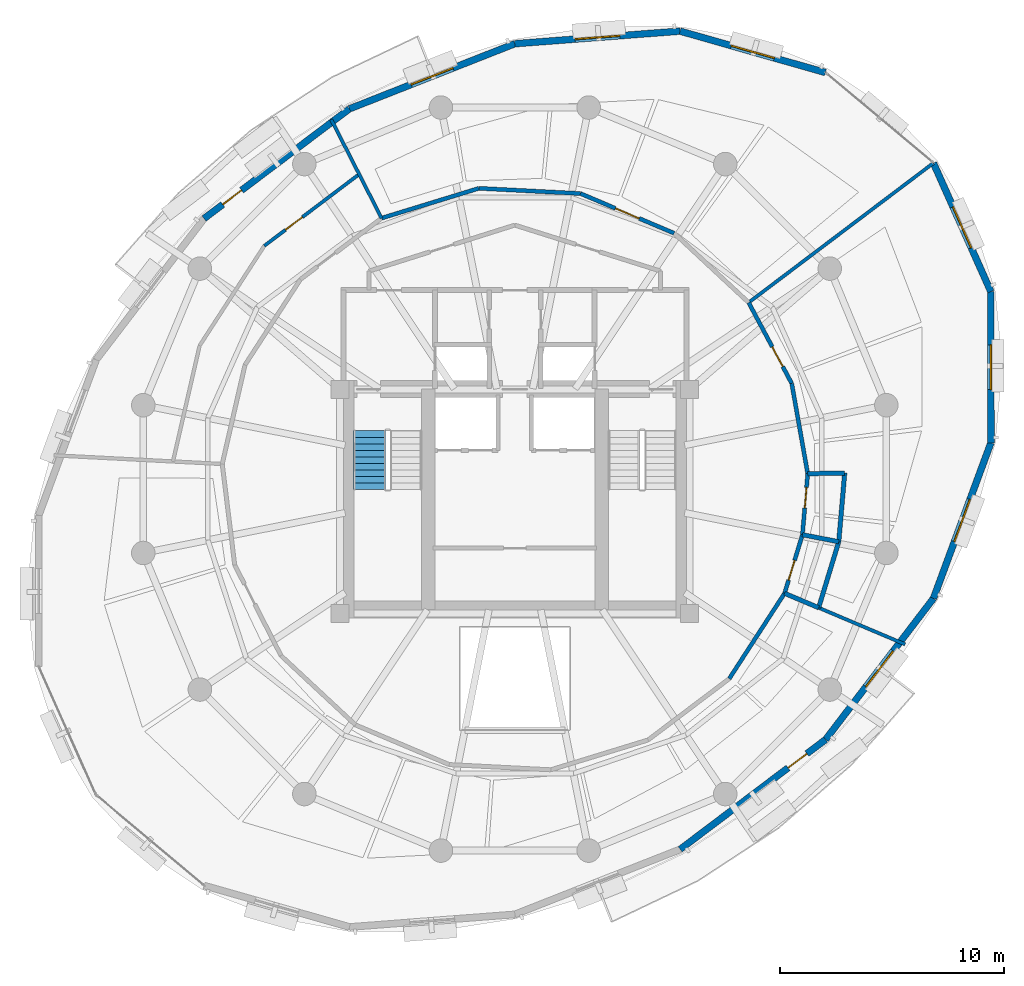
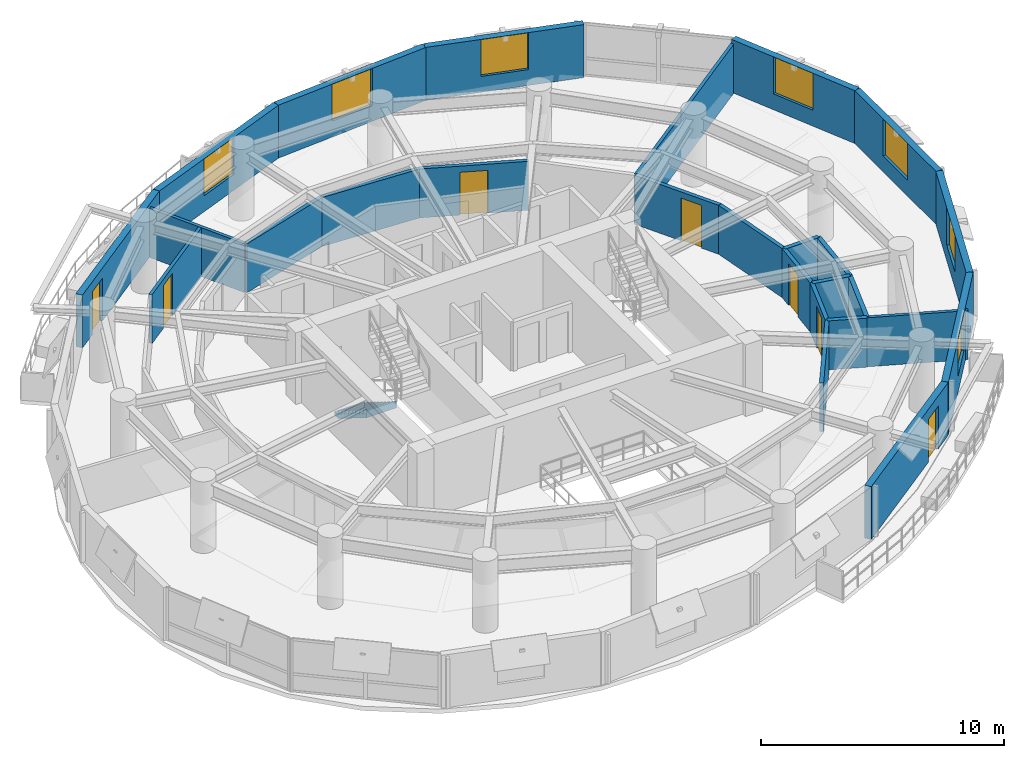
# One storey, part 9 of 12: 26 walls, 7 doors, 7 windows, 1 stair flight, 14 openings, 1 element without a shape of its own.
"""IFC4 building model written with IfcOpenShell, lengths in metres."""

from ifc_helpers import new_model, si_unit, direction, frame, frame_2d, origin, place, context, subcontext, project, spatial, polyline, rectangle, outline, extrude, material, layer, layer_set, type_object, element, fill, aggregate, save


model = new_model("IFC4")

# Units and contexts
model_context = context("Model", 3, precision=1e-05, world=origin(), true_north=direction((0.0, 1.0)))
body_context = subcontext(model_context, "Body", "Model", "MODEL_VIEW")
ifc_project = project(units=[si_unit("LENGTHUNIT", "METRE"), si_unit("AREAUNIT", "SQUARE_METRE"), si_unit("VOLUMEUNIT", "CUBIC_METRE"), si_unit("PLANEANGLEUNIT", "RADIAN"), si_unit("MASSUNIT", "GRAM", prefix="KILO"), si_unit("THERMODYNAMICTEMPERATUREUNIT", "KELVIN"), si_unit("POWERUNIT", "WATT")], contexts=[model_context])

# Site, building, storey
site_placement = place(None, origin())
site = spatial("IfcSite", under=ifc_project, at=site_placement, CompositionType="ELEMENT")
building_placement = place(site_placement, origin())
building = spatial("IfcBuilding", under=site, at=building_placement, Name="Ocrelia Relay Tower", CompositionType="ELEMENT")
storey_placement = place(building_placement, frame((0.0, 0.0, 188.0)))
storey = spatial("IfcBuildingStorey", under=building, at=storey_placement, Name="L45", CompositionType="ELEMENT", Elevation=188.0)

# Wall, opening, door
ifc_material_1 = material(Name="Gypsum Fireboard Partition EI60", Category="gypsum")
ifc_layer_1 = layer(ifc_material_1, 0.179931640625, Name="Gypsum Fireboard Partition EI60")
ifc_layer_set_1 = layer_set([ifc_layer_1], Name="Gypsum Fireboard Partition EI60")
wall_type_1 = type_object("IfcWallType", Name="W-CORR-EI60-180", PredefinedType="PARTITIONING", material=ifc_layer_set_1)
wall_1_placement = place(storey_placement, frame((46.035400390625, 20.903564453125, 0.0), z_axis=(0.0, 0.0, 1.0), x_axis=(0.291542016716, 0.956558023587, 0.0)))
wall_1 = element("IfcWall", 1, at=wall_1_placement, inside=storey, type_object=wall_type_1, Name="L45 Staff Toilet Corridor Wall", PredefinedType="PARTITIONING", context=body_context, shape_type="SweptSolid", body=[
    extrude(rectangle(XDim=2.732421875, YDim=0.179931640625, at=frame_2d((1.3662109375, 0.0))), origin(), (0.0, 0.0, 1.0), 2.4599609375),
])
opening_1_placement = place(wall_1_placement, frame((0.61572265625, 0.0, 0.0)))
opening_1 = element("IfcOpeningElement", 2, at=opening_1_placement, cuts=wall_1, Name="Opening D-WC92", PredefinedType="OPENING", context=body_context, shape_type="SweptSolid", body=[
    extrude(rectangle(XDim=0.919921875, YDim=2.10009765625, at=frame_2d((0.4599609375, 1.050048828125))), frame((0.0, 0.10009765625, 0.0), z_axis=(0.0, -1.0, 0.0), x_axis=(1.0, 0.0, 0.0)), (0.0, 0.0, 1.0), 0.199951171875),
])
ifc_material_2 = material(Name="Laminate washroom door", Category="wood")
door_type_1 = type_object("IfcDoorType", Name="DR-WC-920", OperationType="NOTDEFINED", PredefinedType="DOOR", material=ifc_material_2)
door_1_placement = place(opening_1_placement, origin())
door_1 = element("IfcDoor", 3, at=door_1_placement, inside=storey, type_object=door_type_1, Name="L45 Staff Toilet Door", OperationType="SINGLE_SWING_RIGHT", OverallHeight=2.10009765625, OverallWidth=0.919921875, PredefinedType="DOOR", context=body_context, shape_type="SweptSolid", body=[
    extrude(rectangle(XDim=0.919921875, YDim=2.10009765625, at=frame_2d((0.4599609375, 1.050048828125))), frame((0.0, 0.02490234375, 0.0), z_axis=(0.0, -1.0, 0.0), x_axis=(1.0, 0.0, 0.0)), (0.0, 0.0, 1.0), 0.050048828125),
])
fill(opening_1, door_1)

wall_2_placement = place(storey_placement, frame((46.83203125, 23.517333984375, 0.0), z_axis=(0.0, 0.0, 1.0), x_axis=(0.086313445535, 0.996268030763, 0.0)))
wall_2 = element("IfcWall", 4, at=wall_2_placement, inside=storey, type_object=wall_type_1, Name="L45 Accessible Toilet Corridor Wall", PredefinedType="PARTITIONING", context=body_context, shape_type="SweptSolid", body=[
    extrude(rectangle(XDim=2.732421875, YDim=0.179931640625, at=frame_2d((1.3662109375, 0.0))), origin(), (0.0, 0.0, 1.0), 2.4599609375),
])
opening_2_placement = place(wall_2_placement, frame((1.19677734375, 0.0, 0.0)))
opening_2 = element("IfcOpeningElement", 5, at=opening_2_placement, cuts=wall_2, Name="Opening D-WC92", PredefinedType="OPENING", context=body_context, shape_type="SweptSolid", body=[
    extrude(rectangle(XDim=0.919921875, YDim=2.10009765625, at=frame_2d((0.4599609375, 1.050048828125))), frame((0.0, 0.10009765625, 0.0), z_axis=(0.0, -1.0, 0.0), x_axis=(1.0, 0.0, 0.0)), (0.0, 0.0, 1.0), 0.199951171875),
])
door_2_placement = place(opening_2_placement, origin())
door_2 = element("IfcDoor", 6, at=door_2_placement, inside=storey, type_object=door_type_1, Name="L45 Accessible Toilet Door", OperationType="SINGLE_SWING_LEFT", OverallHeight=2.10009765625, OverallWidth=0.919921875, PredefinedType="DOOR", context=body_context, shape_type="SweptSolid", body=[
    extrude(rectangle(XDim=0.919921875, YDim=2.10009765625, at=frame_2d((0.4599609375, 1.050048828125))), frame((0.0, 0.02490234375, 0.0), z_axis=(0.0, -1.0, 0.0), x_axis=(1.0, 0.0, 0.0)), (0.0, 0.0, 1.0), 0.050048828125),
])
fill(opening_2, door_2)

# Wall
wall_3_placement = place(storey_placement, frame((47.06787109375, 26.239501953125, 0.0), z_axis=(0.0, 0.0, 1.0), x_axis=(-0.174507314031, 0.984655877629, 0.0)))
element("IfcWall", 7, at=wall_3_placement, inside=storey, type_object=wall_type_1, Name="L45 Shift Staff Lounge Corridor Partition 1", PredefinedType="PARTITIONING", context=body_context, shape_type="SweptSolid", body=[
    extrude(rectangle(XDim=4.08935546875, YDim=0.179931640625, at=frame_2d((2.044677734375, 0.0))), origin(), (0.0, 0.0, 1.0), 2.4599609375),
])

# Wall, opening, door
wall_4_placement = place(storey_placement, frame((46.354248046875, 30.26611328125, 0.0), z_axis=(0.0, 0.0, 1.0), x_axis=(-0.470253510843, 0.882531379351, 0.0)))
wall_4 = element("IfcWall", 8, at=wall_4_placement, inside=storey, type_object=wall_type_1, Name="L45 Shift Staff Lounge Corridor Partition 2", PredefinedType="PARTITIONING", context=body_context, shape_type="SweptSolid", body=[
    extrude(rectangle(XDim=4.0888671875, YDim=0.179931640625, at=frame_2d((2.04443359375, 0.0))), origin(), (0.0, 0.0, 1.0), 2.4599609375),
])
opening_3_placement = place(wall_4_placement, frame((0.847412109375, 0.0, 0.0)))
opening_3 = element("IfcOpeningElement", 9, at=opening_3_placement, cuts=wall_4, Name="Opening D-RM100", PredefinedType="OPENING", context=body_context, shape_type="SweptSolid", body=[
    extrude(rectangle(XDim=1.0, YDim=2.14990234375, at=frame_2d((0.5, 1.074951171875))), frame((0.0, 0.10009765625, 0.0), z_axis=(0.0, -1.0, 0.0), x_axis=(1.0, 0.0, 0.0)), (0.0, 0.0, 1.0), 0.199951171875),
])
ifc_material_3 = material(Name="Acoustic oak veneer fire door", Category="wood")
door_type_2 = type_object("IfcDoorType", Name="DR-ROOM-FD60-1000", OperationType="NOTDEFINED", PredefinedType="DOOR", material=ifc_material_3)
door_3_placement = place(opening_3_placement, origin())
door_3 = element("IfcDoor", 10, at=door_3_placement, inside=storey, type_object=door_type_2, Name="L45 Shift Staff Lounge Entrance Door", OperationType="SINGLE_SWING_RIGHT", OverallHeight=2.14990234375, OverallWidth=1.0, PredefinedType="DOOR", context=body_context, shape_type="SweptSolid", body=[
    extrude(rectangle(XDim=1.0, YDim=2.14990234375, at=frame_2d((0.5, 1.074951171875))), frame((0.0, 0.02490234375, 0.0), z_axis=(0.0, -1.0, 0.0), x_axis=(1.0, 0.0, 0.0)), (0.0, 0.0, 1.0), 0.050048828125),
])
fill(opening_3, door_3)

wall_5_placement = place(storey_placement, frame((41.10888671875, 36.967529296875, 0.0), z_axis=(0.0, 0.0, 1.0), x_axis=(-0.92084175152, 0.389936493109, 0.0)))
wall_5 = element("IfcWall", 11, at=wall_5_placement, inside=storey, type_object=wall_type_1, Name="L45 Cloud Engineering Workspace Corridor Partition 2", PredefinedType="PARTITIONING", context=body_context, shape_type="SweptSolid", body=[
    extrude(rectangle(XDim=4.539306640625, YDim=0.179931640625, at=frame_2d((2.26953125, 0.0))), origin(), (0.0, 0.0, 1.0), 2.4599609375),
])
opening_4_placement = place(wall_5_placement, frame((1.694580078125, 0.0, 0.0)))
opening_4 = element("IfcOpeningElement", 12, at=opening_4_placement, cuts=wall_5, Name="Opening D-RM115", PredefinedType="OPENING", context=body_context, shape_type="SweptSolid", body=[
    extrude(rectangle(XDim=1.14990234375, YDim=2.14990234375, at=frame_2d((0.574951171875, 1.074951171875))), frame((0.0, 0.10009765625, 0.0), z_axis=(0.0, -1.0, 0.0), x_axis=(1.0, 0.0, 0.0)), (0.0, 0.0, 1.0), 0.199951171875),
])
ifc_material_4 = material(Name="Wide acoustic oak veneer fire door", Category="wood")
door_type_3 = type_object("IfcDoorType", Name="DR-ROOM-1150", OperationType="NOTDEFINED", PredefinedType="DOOR", material=ifc_material_4)
door_4_placement = place(opening_4_placement, origin())
door_4 = element("IfcDoor", 13, at=door_4_placement, inside=storey, type_object=door_type_3, Name="L45 Cloud Engineering Workspace Entrance Door", OperationType="SINGLE_SWING_LEFT", OverallHeight=2.14990234375, OverallWidth=1.14990234375, PredefinedType="DOOR", context=body_context, shape_type="SweptSolid", body=[
    extrude(rectangle(XDim=1.14990234375, YDim=2.14990234375, at=frame_2d((0.574951171875, 1.074951171875))), frame((0.0, 0.02490234375, 0.0), z_axis=(0.0, -1.0, 0.0), x_axis=(1.0, 0.0, 0.0)), (0.0, 0.0, 1.0), 0.050048828125),
])
fill(opening_4, door_4)

# Walls
wall_6_placement = place(storey_placement, frame((36.928955078125, 38.737548828125, 0.0), z_axis=(0.0, 0.0, 1.0), x_axis=(-0.998674439875, 0.051471964614, 0.0)))
element("IfcWall", 14, at=wall_6_placement, inside=storey, type_object=wall_type_1, Name="L45 Cloud Engineering Workspace Corridor Partition 3", PredefinedType="PARTITIONING", context=body_context, shape_type="SweptSolid", body=[
    extrude(rectangle(XDim=4.539306640625, YDim=0.179931640625, at=frame_2d((2.26953125, 0.0))), origin(), (0.0, 0.0, 1.0), 2.4599609375),
])
for number, where, z_axis, x_axis, name in (
    (15, (32.395751953125, 38.97119140625, 0.0), (0.0, 0.0, 1.0), (-0.956054208196, -0.29318995718, 0.0), "L45 Cloud Engineering Workspace Corridor Partition 4"),
    (16, (43.566650390625, 17.094482421875, 0.0), (0.0, 0.0, 1.0), (0.543880023755, 0.839162987601, 0.0), "L45 Quiet Day Study Corridor Partition 8"),
):
    element("IfcWall", number, at=place(storey_placement, frame(where, z_axis=z_axis, x_axis=x_axis)), inside=storey, type_object=wall_type_1, Name=name, PredefinedType="PARTITIONING", context=body_context, shape_type="SweptSolid", body=[
        extrude(rectangle(XDim=4.5390625, YDim=0.179931640625, at=frame_2d((2.26953125, 0.0))), origin(), (0.0, 0.0, 1.0), 2.4599609375),
    ])

# Wall, opening, window
ifc_material_5 = material(Name="Precast concrete C40/50 with oxide terracotta", Category="masonry")
ifc_layer_2 = layer(ifc_material_5, 0.300048828125, Name="Precast concrete C40/50 with oxide terracotta")
ifc_layer_set_2 = layer_set([ifc_layer_2], Name="Precast concrete C40/50 with oxide terracotta")
wall_type_2 = type_object("IfcWallType", Name="W-EXT-TERR-300", PredefinedType="SOLIDWALL", material=ifc_layer_set_2)
wall_7_placement = place(storey_placement, frame((47.86083984375, 44.134765625, 0.0), z_axis=(0.0, 0.0, 1.0), x_axis=(-0.961709484918, 0.27407091531, 0.0)))
wall_7 = element("IfcWall", 17, at=wall_7_placement, inside=storey, type_object=wall_type_2, Name="L45 Oxide Terracotta Facade Wall 02", PredefinedType="SOLIDWALL", context=body_context, shape_type="SweptSolid", body=[
    extrude(rectangle(XDim=6.7451171875, YDim=0.300048828125, at=frame_2d((3.37255859375, 0.0))), origin(), (0.0, 0.0, 1.0), 2.659912109375),
])
opening_5_placement = place(wall_7_placement, frame((2.373046875, 0.0, 0.800048828125)))
opening_5 = element("IfcOpeningElement", 18, at=opening_5_placement, cuts=wall_7, Name="Opening W-03", PredefinedType="OPENING", context=body_context, shape_type="SweptSolid", body=[
    extrude(rectangle(XDim=2.0, YDim=1.85009765625, at=frame_2d((1.0, 0.925048828125))), frame((0.0, 0.16015625, 0.0), z_axis=(0.0, -1.0, 0.0), x_axis=(1.0, 0.0, 0.0)), (0.0, 0.0, 1.0), 0.320068359375),
])
ifc_material_6 = material(Name="Clear double-glazed low-E glass", Category="glass")
window_type = type_object("IfcWindowType", Name="WIN-Z3-2000x2200", PartitioningType="DOUBLE_PANEL_VERTICAL", PredefinedType="WINDOW", material=ifc_material_6)
window_1_placement = place(opening_5_placement, origin())
window_1 = element("IfcWindow", 19, at=window_1_placement, inside=storey, type_object=window_type, Name="L45 Facade Module Window 02", OverallHeight=1.85009765625, OverallWidth=2.0, PartitioningType="SINGLE_PANEL", PredefinedType="WINDOW", context=body_context, shape_type="SweptSolid", body=[
    extrude(rectangle(XDim=2.0, YDim=1.85009765625, at=frame_2d((1.0, 0.925048828125))), frame((0.0, 0.030029296875, 0.0), z_axis=(0.0, -1.0, 0.0), x_axis=(1.0, 0.0, 0.0)), (0.0, 0.0, 1.0), 0.06005859375),
])
fill(opening_5, window_1)

wall_8_placement = place(storey_placement, frame((41.3740234375, 45.9833984375, 0.0), z_axis=(0.0, 0.0, 1.0), x_axis=(-0.997112438205, -0.075939354593, 0.0)))
wall_8 = element("IfcWall", 20, at=wall_8_placement, inside=storey, type_object=wall_type_2, Name="L45 Oxide Terracotta Facade Wall 03", PredefinedType="SOLIDWALL", context=body_context, shape_type="SweptSolid", body=[
    extrude(rectangle(XDim=7.3974609375, YDim=0.300048828125, at=frame_2d((3.69873046875, 0.0))), origin(), (0.0, 0.0, 1.0), 2.659912109375),
])
opening_6_placement = place(wall_8_placement, frame((2.698974609375, 0.0, 0.800048828125)))
opening_6 = element("IfcOpeningElement", 21, at=opening_6_placement, cuts=wall_8, Name="Opening W-03", PredefinedType="OPENING", context=body_context, shape_type="SweptSolid", body=[
    extrude(rectangle(XDim=2.0, YDim=1.85009765625, at=frame_2d((1.0, 0.925048828125))), frame((0.0, 0.16015625, 0.0), z_axis=(0.0, -1.0, 0.0), x_axis=(1.0, 0.0, 0.0)), (0.0, 0.0, 1.0), 0.320068359375),
])
window_2_placement = place(opening_6_placement, origin())
window_2 = element("IfcWindow", 22, at=window_2_placement, inside=storey, type_object=window_type, Name="L45 Facade Module Window 03", OverallHeight=1.85009765625, OverallWidth=2.0, PartitioningType="SINGLE_PANEL", PredefinedType="WINDOW", context=body_context, shape_type="SweptSolid", body=[
    extrude(rectangle(XDim=2.0, YDim=1.85009765625, at=frame_2d((1.0, 0.925048828125))), frame((0.0, 0.030029296875, 0.0), z_axis=(0.0, -1.0, 0.0), x_axis=(1.0, 0.0, 0.0)), (0.0, 0.0, 1.0), 0.06005859375),
])
fill(opening_6, window_2)

wall_9_placement = place(storey_placement, frame((33.997802734375, 45.421630859375, 0.0), z_axis=(0.0, 0.0, 1.0), x_axis=(-0.930468213674, -0.366372629084, 0.0)))
wall_9 = element("IfcWall", 23, at=wall_9_placement, inside=storey, type_object=wall_type_2, Name="L45 Oxide Terracotta Facade Wall 04", PredefinedType="SOLIDWALL", context=body_context, shape_type="SweptSolid", body=[
    extrude(rectangle(XDim=7.92724609375, YDim=0.300048828125, at=frame_2d((3.963623046875, 0.0))), origin(), (0.0, 0.0, 1.0), 2.659912109375),
])
opening_7_placement = place(wall_9_placement, frame((2.964111328125, 0.0, 0.800048828125)))
opening_7 = element("IfcOpeningElement", 24, at=opening_7_placement, cuts=wall_9, Name="Opening W-03", PredefinedType="OPENING", context=body_context, shape_type="SweptSolid", body=[
    extrude(rectangle(XDim=2.0, YDim=1.85009765625, at=frame_2d((1.0, 0.925048828125))), frame((0.0, 0.16015625, 0.0), z_axis=(0.0, -1.0, 0.0), x_axis=(1.0, 0.0, 0.0)), (0.0, 0.0, 1.0), 0.320068359375),
])
window_3_placement = place(opening_7_placement, origin())
window_3 = element("IfcWindow", 25, at=window_3_placement, inside=storey, type_object=window_type, Name="L45 Facade Module Window 04", OverallHeight=1.85009765625, OverallWidth=2.0, PartitioningType="SINGLE_PANEL", PredefinedType="WINDOW", context=body_context, shape_type="SweptSolid", body=[
    extrude(rectangle(XDim=2.0, YDim=1.85009765625, at=frame_2d((1.0, 0.925048828125))), frame((0.0, 0.030029296875, 0.0), z_axis=(0.0, -1.0, 0.0), x_axis=(1.0, 0.0, 0.0)), (0.0, 0.0, 1.0), 0.06005859375),
])
fill(opening_7, window_3)

# Wall, opening, door
wall_10_placement = place(storey_placement, frame((26.621826171875, 42.517333984375, 0.0), z_axis=(0.0, 0.0, 1.0), x_axis=(-0.798099744175, -0.602525350793, 0.0)))
wall_10 = element("IfcWall", 26, at=wall_10_placement, inside=storey, type_object=wall_type_2, Name="L45 Oxide Terracotta Facade Wall 05", PredefinedType="SOLIDWALL", context=body_context, shape_type="SweptSolid", body=[
    extrude(rectangle(XDim=8.126708984375, YDim=0.300048828125, at=frame_2d((4.0634765625, 0.0))), origin(), (0.0, 0.0, 1.0), 2.659912109375),
])
opening_8_placement = place(wall_10_placement, frame((6.030029296875, 0.0, 0.0)))
opening_8 = element("IfcOpeningElement", 27, at=opening_8_placement, cuts=wall_10, Name="Opening DB-105", PredefinedType="OPENING", context=body_context, shape_type="SweptSolid", body=[
    extrude(rectangle(XDim=1.050048828125, YDim=2.14990234375, at=frame_2d((0.52490234375, 1.074951171875))), frame((0.0, 0.16015625, 0.0), z_axis=(0.0, -1.0, 0.0), x_axis=(1.0, 0.0, 0.0)), (0.0, 0.0, 1.0), 0.320068359375),
])
ifc_material_7 = material(Name="Thermally broken aluminium and clear glass", Category="aluminium")
door_type_4 = type_object("IfcDoorType", Name="DR-BALC-1050", OperationType="NOTDEFINED", PredefinedType="DOOR", material=ifc_material_7)
door_5_placement = place(opening_8_placement, origin())
door_5 = element("IfcDoor", 28, at=door_5_placement, inside=storey, type_object=door_type_4, Name="L45 Planted Loggia Balcony Door B1", OperationType="SINGLE_SWING_LEFT", OverallHeight=2.14990234375, OverallWidth=1.050048828125, PredefinedType="DOOR", context=body_context, shape_type="SweptSolid", body=[
    extrude(rectangle(XDim=1.050048828125, YDim=2.14990234375, at=frame_2d((0.52490234375, 1.074951171875))), frame((0.0, 0.02490234375, 0.0), z_axis=(0.0, -1.0, 0.0), x_axis=(1.0, 0.0, 0.0)), (0.0, 0.0, 1.0), 0.050048828125),
])
fill(opening_8, door_5)

wall_11_placement = place(storey_placement, frame((41.378173828125, 9.482666015625, 0.0), z_axis=(0.0, 0.0, 1.0), x_axis=(0.798099744175, 0.602525350793, 0.0)))
wall_11 = element("IfcWall", 29, at=wall_11_placement, inside=storey, type_object=wall_type_2, Name="L45 Oxide Terracotta Facade Wall 14", PredefinedType="SOLIDWALL", context=body_context, shape_type="SweptSolid", body=[
    extrude(rectangle(XDim=8.126708984375, YDim=0.300048828125, at=frame_2d((4.0634765625, 0.0))), origin(), (0.0, 0.0, 1.0), 2.659912109375),
])
opening_9_placement = place(wall_11_placement, frame((6.030029296875, 0.0, 0.0)))
opening_9 = element("IfcOpeningElement", 30, at=opening_9_placement, cuts=wall_11, Name="Opening DB-105", PredefinedType="OPENING", context=body_context, shape_type="SweptSolid", body=[
    extrude(rectangle(XDim=1.050048828125, YDim=2.14990234375, at=frame_2d((0.52490234375, 1.074951171875))), frame((0.0, 0.16015625, 0.0), z_axis=(0.0, -1.0, 0.0), x_axis=(1.0, 0.0, 0.0)), (0.0, 0.0, 1.0), 0.320068359375),
])
door_6_placement = place(opening_9_placement, origin())
door_6 = element("IfcDoor", 31, at=door_6_placement, inside=storey, type_object=door_type_4, Name="L45 Planted Loggia Balcony Door B2", OperationType="SINGLE_SWING_LEFT", OverallHeight=2.14990234375, OverallWidth=1.050048828125, PredefinedType="DOOR", context=body_context, shape_type="SweptSolid", body=[
    extrude(rectangle(XDim=1.050048828125, YDim=2.14990234375, at=frame_2d((0.52490234375, 1.074951171875))), frame((0.0, 0.02490234375, 0.0), z_axis=(0.0, -1.0, 0.0), x_axis=(1.0, 0.0, 0.0)), (0.0, 0.0, 1.0), 0.050048828125),
])
fill(opening_9, door_6)

# Wall, opening, window
wall_12_placement = place(storey_placement, frame((47.864013671875, 14.379150390625, 0.0), z_axis=(0.0, 0.0, 1.0), x_axis=(0.607272903693, 0.794493310507, 0.0)))
wall_12 = element("IfcWall", 32, at=wall_12_placement, inside=storey, type_object=wall_type_2, Name="L45 Oxide Terracotta Facade Wall 15", PredefinedType="SOLIDWALL", context=body_context, shape_type="SweptSolid", body=[
    extrude(rectangle(XDim=7.92724609375, YDim=0.300048828125, at=frame_2d((3.963623046875, 0.0))), origin(), (0.0, 0.0, 1.0), 2.659912109375),
])
opening_10_placement = place(wall_12_placement, frame((2.964111328125, 0.0, 0.800048828125)))
opening_10 = element("IfcOpeningElement", 33, at=opening_10_placement, cuts=wall_12, Name="Opening W-03", PredefinedType="OPENING", context=body_context, shape_type="SweptSolid", body=[
    extrude(rectangle(XDim=2.0, YDim=1.85009765625, at=frame_2d((1.0, 0.925048828125))), frame((0.0, 0.16015625, 0.0), z_axis=(0.0, -1.0, 0.0), x_axis=(1.0, 0.0, 0.0)), (0.0, 0.0, 1.0), 0.320068359375),
])
window_4_placement = place(opening_10_placement, origin())
window_4 = element("IfcWindow", 34, at=window_4_placement, inside=storey, type_object=window_type, Name="L45 Facade Module Window 15", OverallHeight=1.85009765625, OverallWidth=2.0, PartitioningType="SINGLE_PANEL", PredefinedType="WINDOW", context=body_context, shape_type="SweptSolid", body=[
    extrude(rectangle(XDim=2.0, YDim=1.85009765625, at=frame_2d((1.0, 0.925048828125))), frame((0.0, 0.030029296875, 0.0), z_axis=(0.0, -1.0, 0.0), x_axis=(1.0, 0.0, 0.0)), (0.0, 0.0, 1.0), 0.06005859375),
])
fill(opening_10, window_4)

wall_13_placement = place(storey_placement, frame((52.677978515625, 20.67724609375, 0.0), z_axis=(0.0, 0.0, 1.0), x_axis=(0.346206962983, 0.938158162989, 0.0)))
wall_13 = element("IfcWall", 35, at=wall_13_placement, inside=storey, type_object=wall_type_2, Name="L45 Oxide Terracotta Facade Wall 16", PredefinedType="SOLIDWALL", context=body_context, shape_type="SweptSolid", body=[
    extrude(rectangle(XDim=7.3974609375, YDim=0.300048828125, at=frame_2d((3.69873046875, 0.0))), origin(), (0.0, 0.0, 1.0), 2.659912109375),
])
opening_11_placement = place(wall_13_placement, frame((2.698974609375, 0.0, 0.800048828125)))
opening_11 = element("IfcOpeningElement", 36, at=opening_11_placement, cuts=wall_13, Name="Opening W-03", PredefinedType="OPENING", context=body_context, shape_type="SweptSolid", body=[
    extrude(rectangle(XDim=2.0, YDim=1.85009765625, at=frame_2d((1.0, 0.925048828125))), frame((0.0, 0.16015625, 0.0), z_axis=(0.0, -1.0, 0.0), x_axis=(1.0, 0.0, 0.0)), (0.0, 0.0, 1.0), 0.320068359375),
])
window_5_placement = place(opening_11_placement, origin())
window_5 = element("IfcWindow", 37, at=window_5_placement, inside=storey, type_object=window_type, Name="L45 Facade Module Window 16", OverallHeight=1.85009765625, OverallWidth=2.0, PartitioningType="SINGLE_PANEL", PredefinedType="WINDOW", context=body_context, shape_type="SweptSolid", body=[
    extrude(rectangle(XDim=2.0, YDim=1.85009765625, at=frame_2d((1.0, 0.925048828125))), frame((0.0, 0.030029296875, 0.0), z_axis=(0.0, -1.0, 0.0), x_axis=(1.0, 0.0, 0.0)), (0.0, 0.0, 1.0), 0.06005859375),
])
fill(opening_11, window_5)

wall_14_placement = place(storey_placement, frame((55.239013671875, 27.6171875, 0.0), z_axis=(0.0, 0.0, 1.0), x_axis=(-0.000108585492, 0.999999994105, 0.0)))
wall_14 = element("IfcWall", 38, at=wall_14_placement, inside=storey, type_object=wall_type_2, Name="L45 Oxide Terracotta Facade Wall 17", PredefinedType="SOLIDWALL", context=body_context, shape_type="SweptSolid", body=[
    extrude(rectangle(XDim=6.7451171875, YDim=0.300048828125, at=frame_2d((3.37255859375, 0.0))), origin(), (0.0, 0.0, 1.0), 2.659912109375),
])
opening_12_placement = place(wall_14_placement, frame((2.373046875, 0.0, 0.800048828125)))
opening_12 = element("IfcOpeningElement", 39, at=opening_12_placement, cuts=wall_14, Name="Opening W-03", PredefinedType="OPENING", context=body_context, shape_type="SweptSolid", body=[
    extrude(rectangle(XDim=2.0, YDim=1.85009765625, at=frame_2d((1.0, 0.925048828125))), frame((0.0, 0.16015625, 0.0), z_axis=(0.0, -1.0, 0.0), x_axis=(1.0, 0.0, 0.0)), (0.0, 0.0, 1.0), 0.320068359375),
])
window_6_placement = place(opening_12_placement, origin())
window_6 = element("IfcWindow", 40, at=window_6_placement, inside=storey, type_object=window_type, Name="L45 Facade Module Window 17", OverallHeight=1.85009765625, OverallWidth=2.0, PartitioningType="SINGLE_PANEL", PredefinedType="WINDOW", context=body_context, shape_type="SweptSolid", body=[
    extrude(rectangle(XDim=2.0, YDim=1.85009765625, at=frame_2d((1.0, 0.925048828125))), frame((0.0, 0.030029296875, 0.0), z_axis=(0.0, -1.0, 0.0), x_axis=(1.0, 0.0, 0.0)), (0.0, 0.0, 1.0), 0.06005859375),
])
fill(opening_12, window_6)

wall_15_placement = place(storey_placement, frame((55.23828125, 34.3623046875, 0.0), z_axis=(0.0, 0.0, 1.0), x_axis=(-0.407853912848, 0.913047197999, 0.0)))
wall_15 = element("IfcWall", 41, at=wall_15_placement, inside=storey, type_object=wall_type_2, Name="L45 Oxide Terracotta Facade Wall 18", PredefinedType="SOLIDWALL", context=body_context, shape_type="SweptSolid", body=[
    extrude(rectangle(XDim=6.282958984375, YDim=0.300048828125, at=frame_2d((3.1416015625, 0.0))), origin(), (0.0, 0.0, 1.0), 2.659912109375),
])
opening_13_placement = place(wall_15_placement, frame((2.14111328125, 0.0, 0.800048828125)))
opening_13 = element("IfcOpeningElement", 42, at=opening_13_placement, cuts=wall_15, Name="Opening W-03", PredefinedType="OPENING", context=body_context, shape_type="SweptSolid", body=[
    extrude(rectangle(XDim=2.0, YDim=1.85009765625, at=frame_2d((1.0, 0.925048828125))), frame((0.0, 0.16015625, 0.0), z_axis=(0.0, -1.0, 0.0), x_axis=(1.0, 0.0, 0.0)), (0.0, 0.0, 1.0), 0.320068359375),
])
window_7_placement = place(opening_13_placement, origin())
window_7 = element("IfcWindow", 43, at=window_7_placement, inside=storey, type_object=window_type, Name="L45 Facade Module Window 18", OverallHeight=1.85009765625, OverallWidth=2.0, PartitioningType="SINGLE_PANEL", PredefinedType="WINDOW", context=body_context, shape_type="SweptSolid", body=[
    extrude(rectangle(XDim=2.0, YDim=1.85009765625, at=frame_2d((1.0, 0.925048828125))), frame((0.0, 0.030029296875, 0.0), z_axis=(0.0, -1.0, 0.0), x_axis=(1.0, 0.0, 0.0)), (0.0, 0.0, 1.0), 0.06005859375),
])
fill(opening_13, window_7)

# Walls
ifc_material_8 = material(Name="Acoustic Fireboard Partition EI60", Category="gypsum")
ifc_layer_3 = layer(ifc_material_8, 0.14990234375, Name="Acoustic Fireboard Partition EI60")
ifc_layer_set_3 = layer_set([ifc_layer_3], Name="Acoustic Fireboard Partition EI60")
wall_type_3 = type_object("IfcWallType", Name="W-PART-150", PredefinedType="PARTITIONING", material=ifc_layer_set_3)
wall_16_placement = place(storey_placement, frame((47.5546875, 20.26025390625, 0.0), z_axis=(0.0, 0.0, 1.0), x_axis=(0.920843282416, -0.389932877852, 0.0)))
element("IfcWall", 44, at=wall_16_placement, inside=storey, type_object=wall_type_3, Name="L45 Shift Staff Lounge Radial Partition", PredefinedType="PARTITIONING", context=body_context, shape_type="SweptSolid", body=[
    extrude(rectangle(XDim=4.1875, YDim=0.14990234375, at=frame_2d((2.09375, 0.0))), origin(), (0.0, 0.0, 1.0), 2.4599609375),
])
wall_17_placement = place(storey_placement, frame((44.431396484375, 33.874755859375, 0.0), z_axis=(0.0, 0.0, 1.0), x_axis=(0.798098657552, 0.602526790122, 0.0)))
element("IfcWall", 45, at=wall_17_placement, inside=storey, type_object=wall_type_3, Name="L45 Shift Staff Lounge Radial Partition", PredefinedType="PARTITIONING", context=body_context, shape_type="SweptSolid", body=[
    extrude(rectangle(XDim=10.330078125, YDim=0.14990234375, at=frame_2d((5.1650390625, 0.0))), origin(), (0.0, 0.0, 1.0), 2.4599609375),
])
wall_18_placement = place(storey_placement, frame((28.05615234375, 37.640380859375, 0.0), z_axis=(0.0, 0.0, 1.0), x_axis=(-0.454764652979, 0.890611649599, 0.0)))
element("IfcWall", 46, at=wall_18_placement, inside=storey, type_object=wall_type_3, Name="L45 Cloud Engineering Workspace Radial Partition", PredefinedType="PARTITIONING", context=body_context, shape_type="SweptSolid", body=[
    extrude(rectangle(XDim=4.94287109375, YDim=0.14990234375, at=frame_2d((2.471435546875, 0.0))), origin(), (0.0, 0.0, 1.0), 2.4599609375),
])

# Wall, opening, door
wall_19_placement = place(storey_placement, frame((27.0556640625, 39.599609375, 0.0), z_axis=(0.0, 0.0, 1.0), x_axis=(-0.798112296688, -0.602508723485, 0.0)))
wall_19 = element("IfcWall", 47, at=wall_19_placement, inside=storey, type_object=wall_type_3, Name="L45 Perimeter Executive Reading Study Mid-Ring Partition 1", PredefinedType="PARTITIONING", context=body_context, shape_type="SweptSolid", body=[
    extrude(rectangle(XDim=5.303466796875, YDim=0.14990234375, at=frame_2d((2.65185546875, 0.0))), origin(), (0.0, 0.0, 1.0), 2.4599609375),
])
opening_14_placement = place(wall_19_placement, frame((3.1748046875, 0.0, 0.0)))
opening_14 = element("IfcOpeningElement", 48, at=opening_14_placement, cuts=wall_19, Name="Opening D-RM95", PredefinedType="OPENING", context=body_context, shape_type="SweptSolid", body=[
    extrude(rectangle(XDim=0.949951171875, YDim=2.14990234375, at=frame_2d((0.47509765625, 1.074951171875))), frame((0.0, 0.0849609375, 0.0), z_axis=(0.0, -1.0, 0.0), x_axis=(1.0, 0.0, 0.0)), (0.0, 0.0, 1.0), 0.169921875),
])
door_type_5 = type_object("IfcDoorType", Name="DR-ROOM-950", OperationType="NOTDEFINED", PredefinedType="DOOR", material=ifc_material_3)
door_7_placement = place(opening_14_placement, origin())
door_7 = element("IfcDoor", 49, at=door_7_placement, inside=storey, type_object=door_type_5, Name="L45 Perimeter Executive Reading Study Connecting Door", OperationType="SINGLE_SWING_LEFT", OverallHeight=2.14990234375, OverallWidth=0.949951171875, PredefinedType="DOOR", context=body_context, shape_type="SweptSolid", body=[
    extrude(rectangle(XDim=0.949951171875, YDim=2.14990234375, at=frame_2d((0.47509765625, 1.074951171875))), frame((0.0, 0.02490234375, 0.0), z_axis=(0.0, -1.0, 0.0), x_axis=(1.0, 0.0, 0.0)), (0.0, 0.0, 1.0), 0.050048828125),
])
fill(opening_14, door_7)

# Walls
ifc_material_9 = material(Name="Moisture-Resistant Fireboard Chase Wall EI60", Category="gypsum")
ifc_layer_4 = layer(ifc_material_9, 0.199951171875, Name="Moisture-Resistant Fireboard Chase Wall EI60")
ifc_layer_set_4 = layer_set([ifc_layer_4], Name="Moisture-Resistant Fireboard Chase Wall EI60")
wall_type_4 = type_object("IfcWallType", Name="W-PLUMB-200", PredefinedType="PLUMBINGWALL", material=ifc_layer_set_4)
for number, where, z_axis, x_axis, name in (
    (50, (46.035400390625, 20.903564453125, 0.0), (0.0, 0.0, 1.0), (0.920850797713, -0.389915129676, 0.0), "L45 Staff Toilet Plumbing Radial Wall"),
    (51, (46.83203125, 23.517333984375, 0.0), (0.0, 0.0, 1.0), (0.981785193174, -0.189994301136, 0.0), "L45 Staff Toilet Plumbing Radial Wall"),
):
    element("IfcWall", number, at=place(storey_placement, frame(where, z_axis=z_axis, x_axis=x_axis)), inside=storey, type_object=wall_type_4, Name=name, PredefinedType="PLUMBINGWALL", context=body_context, shape_type="SweptSolid", body=[
        extrude(rectangle(XDim=1.64990234375, YDim=0.199951171875, at=frame_2d((0.824951171875, 0.0))), origin(), (0.0, 0.0, 1.0), 2.4599609375),
    ])
wall_20_placement = place(storey_placement, frame((47.5546875, 20.26025390625, 0.0), z_axis=(0.0, 0.0, 1.0), x_axis=(0.291559368101, 0.956552735019, 0.0)))
element("IfcWall", 52, at=wall_20_placement, inside=storey, type_object=wall_type_4, Name="L45 Staff Toilet Back Plumbing Wall", PredefinedType="PLUMBINGWALL", context=body_context, shape_type="SweptSolid", body=[
    extrude(rectangle(XDim=3.077392578125, YDim=0.199951171875, at=frame_2d((1.53857421875, 0.0))), origin(), (0.0, 0.0, 1.0), 2.4599609375),
])
wall_21_placement = place(storey_placement, frame((47.06787109375, 26.239501953125, 0.0), z_axis=(0.0, 0.0, 1.0), x_axis=(0.999831656691, 0.018348250027, 0.0)))
element("IfcWall", 53, at=wall_21_placement, inside=storey, type_object=wall_type_4, Name="L45 Accessible Toilet Plumbing Radial Wall", PredefinedType="PLUMBINGWALL", context=body_context, shape_type="SweptSolid", body=[
    extrude(rectangle(XDim=1.64990234375, YDim=0.199951171875, at=frame_2d((0.824951171875, 0.0))), origin(), (0.0, 0.0, 1.0), 2.4599609375),
])
wall_22_placement = place(storey_placement, frame((48.451904296875, 23.203857421875, 0.0), z_axis=(0.0, 0.0, 1.0), x_axis=(0.086314660214, 0.996267925526, 0.0)))
element("IfcWall", 54, at=wall_22_placement, inside=storey, type_object=wall_type_4, Name="L45 Accessible Toilet Back Plumbing Wall", PredefinedType="PLUMBINGWALL", context=body_context, shape_type="SweptSolid", body=[
    extrude(rectangle(XDim=3.077392578125, YDim=0.199951171875, at=frame_2d((1.53857421875, 0.0))), origin(), (0.0, 0.0, 1.0), 2.4599609375),
])

# Stair, stair flight
ifc_material_10 = material(Name="Concrete C50/60", Category="concrete")
stair_type = type_object("IfcStairType", Name="ST-DL-1420-R180", PredefinedType="HALF_TURN_STAIR", material=ifc_material_10)
stair_placement = place(storey_placement, origin())
stair = element("IfcStair", 55, at=stair_placement, inside=storey, type_object=stair_type, Name="L45 West Core Exit Stair ST1", PredefinedType="HALF_TURN_STAIR")
stair_flight_type = type_object("IfcStairFlightType", Name="STF-DL-1420-R180", PredefinedType="STRAIGHT", material=ifc_material_10)
stair_flight_placement = place(storey_placement, frame((27.52001953125, 28.14990234375, 0.0), z_axis=(0.0, 0.0, 1.0), x_axis=(0.0, -1.0, 0.0)))
stair_flight = element("IfcStairFlight", 56, at=stair_flight_placement, type_object=stair_flight_type, Name="ST1 flight 1", NumberOfRisers=10, NumberOfTreads=9, PredefinedType="STRAIGHT", RiserHeight=0.18, TreadLength=0.29, context=body_context, shape_type="SweptSolid", body=[
    extrude(outline(polyline([(-0.008056640625, 0.0), (-0.008056640625, 0.179931640625), (0.0, 0.179931640625), (0.2900390625, 0.179931640625), (0.2900390625, 0.360107421875), (0.580078125, 0.360107421875), (0.580078125, 0.5400390625), (0.8701171875, 0.5400390625), (0.8701171875, 0.719970703125), (1.159912109375, 0.719970703125), (1.159912109375, 0.89990234375), (1.449951171875, 0.89990234375), (1.449951171875, 1.080078125), (1.739990234375, 1.080078125), (1.739990234375, 1.260009765625), (2.030029296875, 1.260009765625), (2.030029296875, 1.43994140625), (2.320068359375, 1.43994140625), (2.320068359375, 1.6201171875), (2.610107421875, 1.6201171875), (2.610107421875, 1.800048828125), (2.617919921875, 1.800048828125), (2.617919921875, 1.443603515625), (0.2841796875, 0.0), (-0.008056640625, 0.0)])), frame((0.0, 0.7099609375, 0.0), z_axis=(0.0, -1.0, 0.0), x_axis=(1.0, 0.0, 0.0)), (0.0, 0.0, 1.0), 1.419921875),
])
aggregate(stair, [stair_flight])

save(model, "model.ifc")
